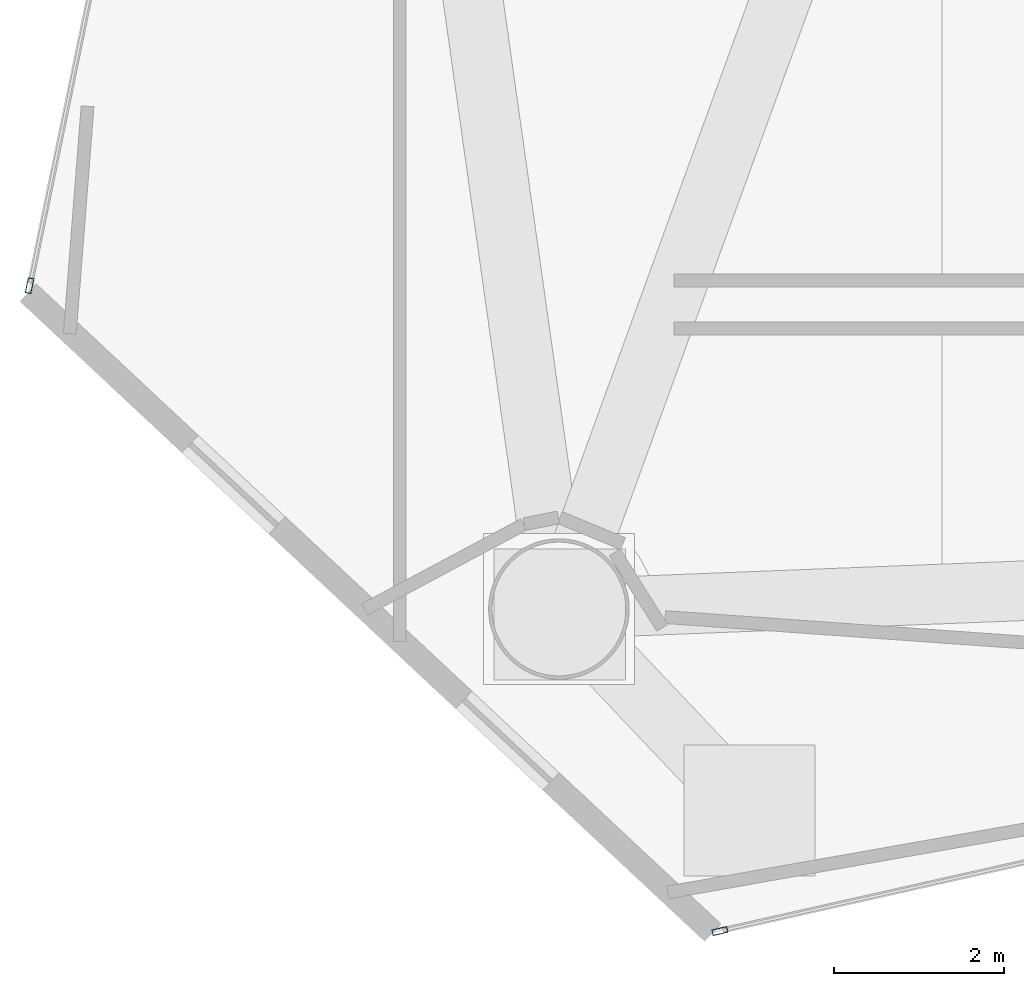
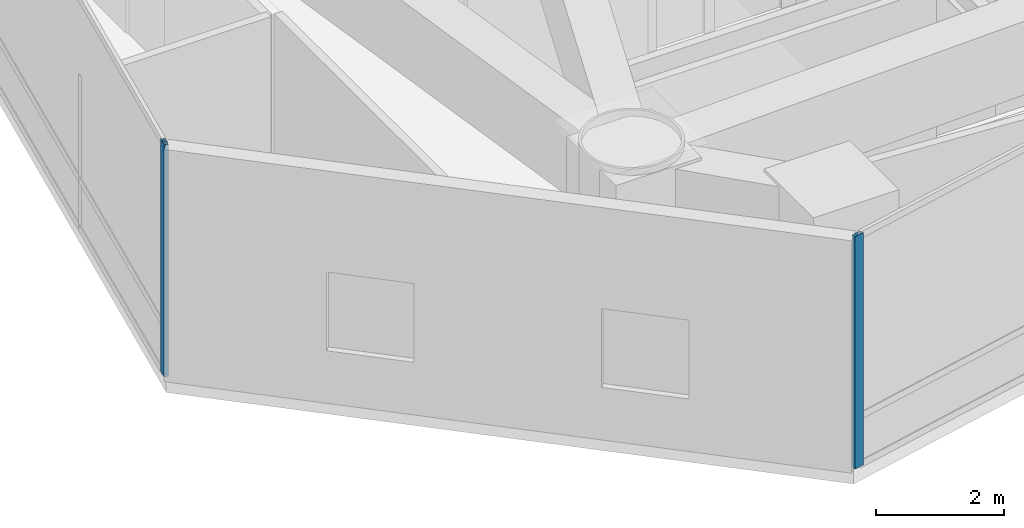
# One storey, part 2 of 22: 2 members, 2 elements without a shape of their own.
"""IFC4 building model written with IfcOpenShell, lengths in metres."""

from ifc_helpers import new_model, si_unit, direction, frame, origin, origin_2d, place, context, subcontext, project, spatial, hollow_rectangle, extrude, material, layer, layer_set, material_profile, profile_set, type_object, element, aggregate, save


model = new_model("IFC4")

# Units and contexts
model_context = context("Model", 3, precision=1e-05, world=origin(), true_north=direction((0.0, 1.0)))
body_context = subcontext(model_context, "Body", "Model", "MODEL_VIEW")
ifc_project = project(units=[si_unit("LENGTHUNIT", "METRE"), si_unit("AREAUNIT", "SQUARE_METRE"), si_unit("VOLUMEUNIT", "CUBIC_METRE"), si_unit("PLANEANGLEUNIT", "RADIAN"), si_unit("MASSUNIT", "GRAM", prefix="KILO")], contexts=[model_context])

# Site, building, storey
site_placement = place(None, origin())
site = spatial("IfcSite", under=ifc_project, at=site_placement, CompositionType="ELEMENT")
building_placement = place(site_placement, origin())
building = spatial("IfcBuilding", under=site, at=building_placement, Name="Qianvela Tower", CompositionType="ELEMENT")
storey_placement = place(building_placement, frame((0.0, 0.0, 93.199951171875)))
storey = spatial("IfcBuildingStorey", under=building, at=storey_placement, Name="L23", CompositionType="ELEMENT", Elevation=93.199951171875)

# Curtain wall, member
ifc_material_1 = material(Name="Anodised Architectural Aluminium and Low-E Glass", Category="aluminium")
ifc_layer = layer(ifc_material_1, 0.179931640625)
ifc_layer_set = layer_set([ifc_layer], Name="Anodised Architectural Aluminium and Low-E Glass")
curtain_wall_type = type_object("IfcCurtainWallType", Name="CW-COLIV-Z12", PredefinedType="USERDEFINED", material=ifc_layer_set)
curtain_wall_1_placement = place(storey_placement, origin())
curtain_wall_1 = element("IfcCurtainWall", 1, at=curtain_wall_1_placement, inside=storey, type_object=curtain_wall_type, Name="L23 CW-COLIV-Z12 Curtain Wall 04C", ObjectType="CURTAIN_WALL_SYSTEM", PredefinedType="USERDEFINED")
ifc_material_2 = material(Name="Anodised Architectural Aluminium 6063-T6", Category="aluminium")
ifc_material_profile = material_profile(ifc_material_2, hollow_rectangle(XDim=0.070068359375, YDim=0.179931640625, WallThickness=0.0048828125, at=origin_2d()), Name="ALU-MULL-70x180")
ifc_profile_set = profile_set([ifc_material_profile], Name="Anodised Architectural Aluminium 6063-T6")
member_type = type_object("IfcMemberType", Name="CW-COLIV-Z12-MULL", PredefinedType="MULLION", material=ifc_profile_set)
member_1_placement = place(storey_placement, frame((18.8876953125, 18.0205078125, 0.0), z_axis=(0.0, 0.0, 1.0), x_axis=(0.979293291907, -0.202446655755, 0.0)))
member_1 = element("IfcMember", 2, at=member_1_placement, type_object=member_type, Name="CW-3 mullion 2", PredefinedType="MULLION", context=body_context, shape_type="SweptSolid", body=[
    extrude(hollow_rectangle(XDim=0.070068359375, YDim=0.179931640625, WallThickness=0.0048828125, at=origin_2d()), origin(), (0.0, 0.0, 1.0), 4.420166015625),
])
aggregate(curtain_wall_1, [member_1])

curtain_wall_2_placement = place(storey_placement, origin())
curtain_wall_2 = element("IfcCurtainWall", 3, at=curtain_wall_2_placement, inside=storey, type_object=curtain_wall_type, Name="L23 CW-COLIV-Z12 Curtain Wall 06A", ObjectType="CURTAIN_WALL_SYSTEM", PredefinedType="USERDEFINED")
member_2_placement = place(storey_placement, frame((26.98876953125, 10.445556640625, 0.0), z_axis=(0.0, 0.0, 1.0), x_axis=(-0.219383912345, 0.975638610862, 0.0)))
member_2 = element("IfcMember", 4, at=member_2_placement, type_object=member_type, Name="CW-3 mullion 1", PredefinedType="MULLION", context=body_context, shape_type="SweptSolid", body=[
    extrude(hollow_rectangle(XDim=0.070068359375, YDim=0.179931640625, WallThickness=0.0048828125, at=origin_2d()), origin(), (0.0, 0.0, 1.0), 4.420166015625),
])
aggregate(curtain_wall_2, [member_2])

save(model, "model.ifc")
